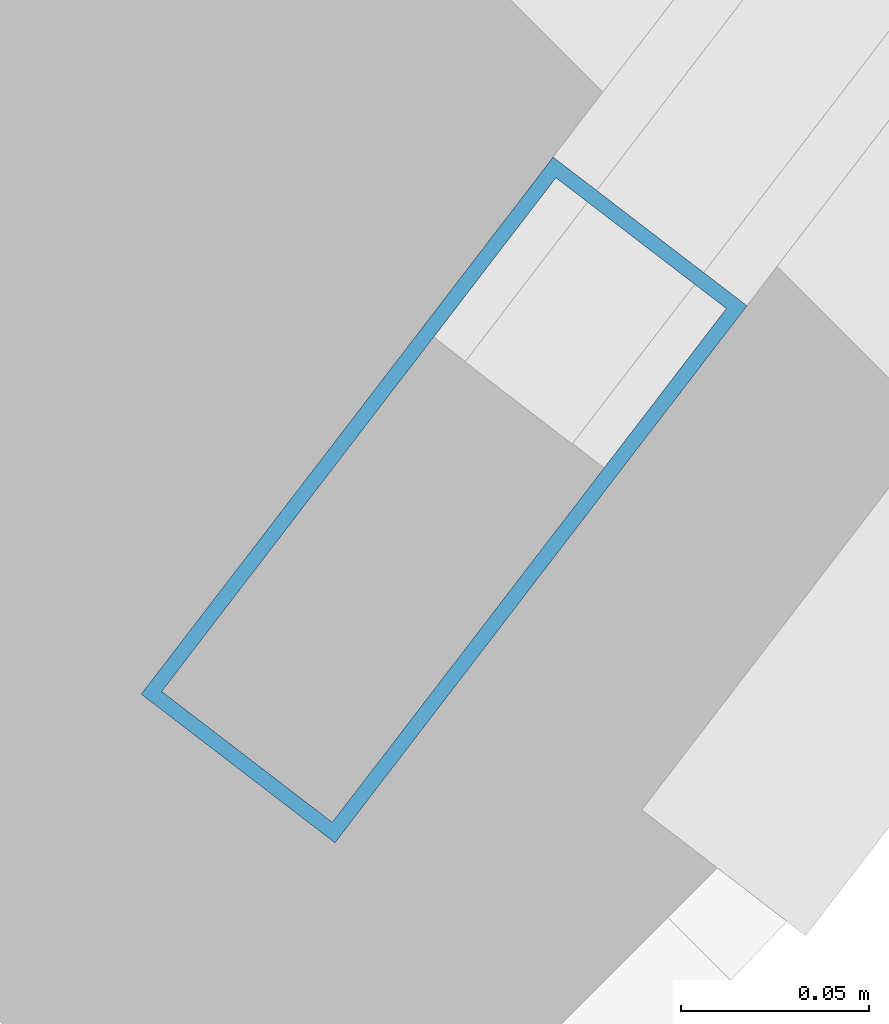
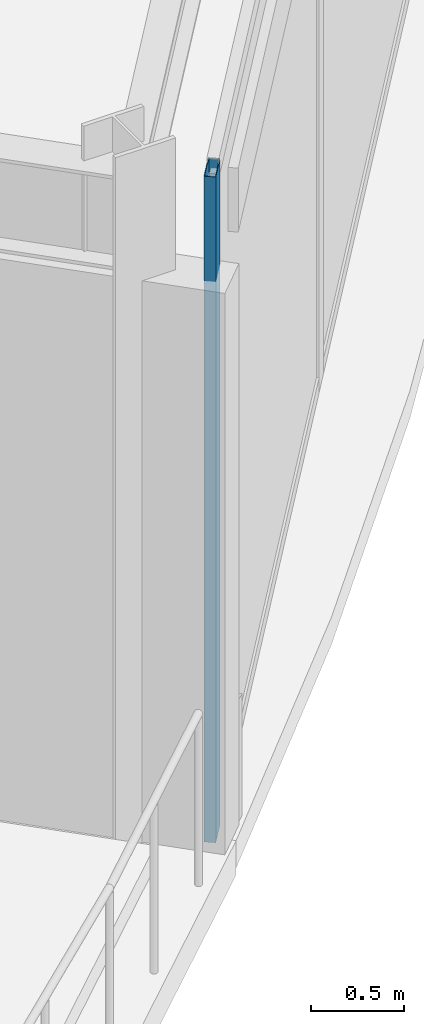
# One storey, part 41 of 157: 1 member, 1 element without a shape of its own.
"""IFC4 building model written with IfcOpenShell, lengths in metres."""

from ifc_helpers import new_model, si_unit, direction, frame, origin, origin_2d, place, context, subcontext, project, spatial, hollow_rectangle, extrude, material, material_profile, profile_set, type_object, element, aggregate, save


model = new_model("IFC4")

# Units and contexts
model_context = context("Model", 3, precision=1e-05, world=origin(), true_north=direction((0.0, 1.0)))
body_context = subcontext(model_context, "Body", "Model", "MODEL_VIEW")
ifc_project = project(units=[si_unit("LENGTHUNIT", "METRE"), si_unit("AREAUNIT", "SQUARE_METRE"), si_unit("VOLUMEUNIT", "CUBIC_METRE"), si_unit("PLANEANGLEUNIT", "RADIAN"), si_unit("MASSUNIT", "GRAM", prefix="KILO")], contexts=[model_context])

# Site, building, storey
site_placement = place(None, origin())
site = spatial("IfcSite", under=ifc_project, at=site_placement, CompositionType="ELEMENT")
building_placement = place(site_placement, origin())
building = spatial("IfcBuilding", under=site, at=building_placement, Name="Almandine Court Research Institute", CompositionType="ELEMENT")
storey_placement = place(building_placement, frame((0.0, 0.0, 5.25)))
storey = spatial("IfcBuildingStorey", under=building, at=storey_placement, Name="L01", CompositionType="ELEMENT", Elevation=5.25)

# Curtain wall, member
ifc_material_1 = material(Name="Unitised Curtain Wall Framing and Solar Glazing", Category="glass")
curtain_wall_type = type_object("IfcCurtainWallType", Name="CW-CWJ-19", PredefinedType="USERDEFINED", material=ifc_material_1)
curtain_wall_placement = place(storey_placement, origin())
curtain_wall = element("IfcCurtainWall", 1, at=curtain_wall_placement, inside=storey, type_object=curtain_wall_type, Name="L01 Stacked-Ring Drum Outer Solar Jali Screen 21", ObjectType="SOLAR JALI SCREEN", PredefinedType="USERDEFINED")
ifc_material_2 = material(Name="Anodised Aluminium AW-6063-T6", Category="aluminium")
ifc_material_profile = material_profile(ifc_material_2, hollow_rectangle(XDim=0.06494140625, YDim=0.179931640625, WallThickness=0.00390625, at=origin_2d()), Name="ALU RHS 65x180x4")
ifc_profile_set = profile_set([ifc_material_profile], Name="Anodised Aluminium AW-6063-T6")
member_type = type_object("IfcMemberType", Name="CWMul-65x180", PredefinedType="MULLION", material=ifc_profile_set)
member_placement = place(storey_placement, frame((121.92578125, 21.125732421875, 0.0), z_axis=(0.0, 0.0, 1.0), x_axis=(0.793382586046, -0.608723313303, 0.0)))
member = element("IfcMember", 2, at=member_placement, type_object=member_type, Name="CWJ-19 mullion 4", PredefinedType="MULLION", context=body_context, shape_type="SweptSolid", body=[
    extrude(hollow_rectangle(XDim=0.06494140625, YDim=0.179931640625, WallThickness=0.00390625, at=origin_2d()), origin(), (0.0, 0.0, 1.0), 4.3701171875),
])
aggregate(curtain_wall, [member])

save(model, "model.ifc")
